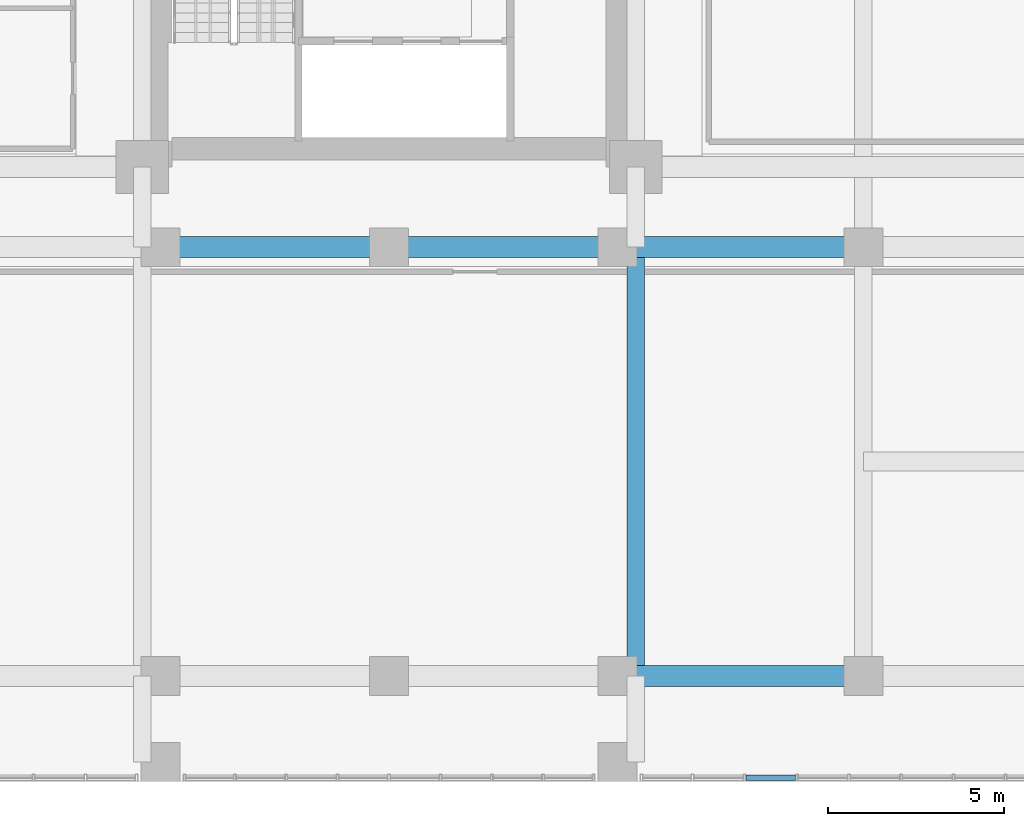
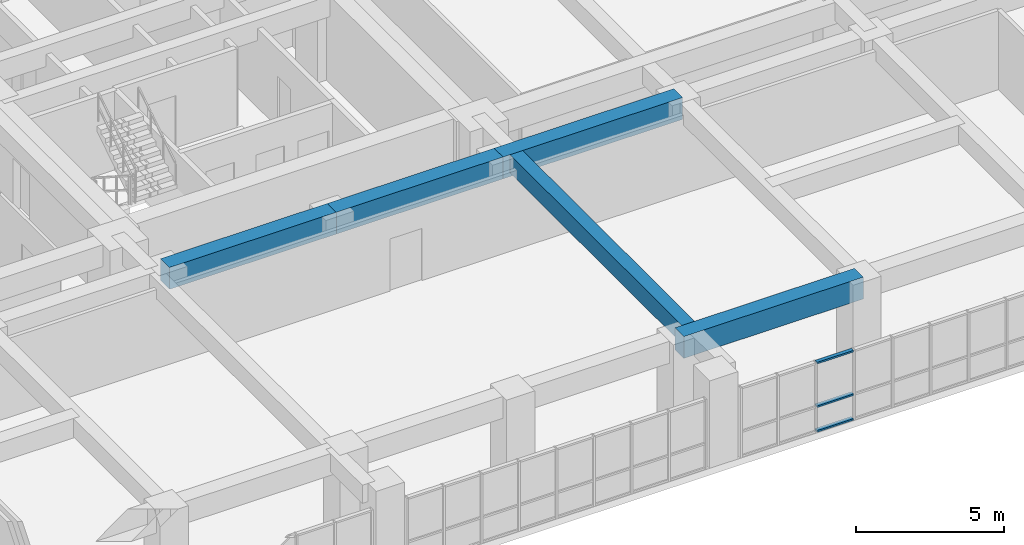
# One storey, part 7 of 30: 5 beams, 3 members, 1 element without a shape of its own.
"""IFC4 building model written with IfcOpenShell, lengths in metres."""

from ifc_helpers import new_model, si_unit, direction, frame, origin, origin_2d, place, context, subcontext, project, spatial, rectangle, hollow_rectangle, extrude, source, transform, mapped, material, layer, layer_set, material_profile, profile_set, type_object, element, aggregate, save


model = new_model("IFC4")

# Units and contexts
model_context = context("Model", 3, precision=1e-05, world=origin(), true_north=direction((0.0, 1.0)))
body_context = subcontext(model_context, "Body", "Model", "MODEL_VIEW")
ifc_project = project(units=[si_unit("LENGTHUNIT", "METRE"), si_unit("AREAUNIT", "SQUARE_METRE"), si_unit("VOLUMEUNIT", "CUBIC_METRE"), si_unit("PLANEANGLEUNIT", "RADIAN"), si_unit("MASSUNIT", "GRAM", prefix="KILO")], contexts=[model_context])

# Site, building, storey
site_placement = place(None, origin())
site = spatial("IfcSite", under=ifc_project, at=site_placement, CompositionType="ELEMENT")
building_placement = place(site_placement, origin())
building = spatial("IfcBuilding", under=site, at=building_placement, Name="Saelheon Loggia Tower", CompositionType="ELEMENT")
storey_placement = place(building_placement, frame((0.0, 0.0, 11.39990234375)))
storey = spatial("IfcBuildingStorey", under=building, at=storey_placement, Name="L03", CompositionType="ELEMENT", Elevation=11.39990234375)

# Beams
ifc_material_1 = material(Name="Concrete C50/60", Category="concrete")
ifc_material_profile_1 = material_profile(ifc_material_1, rectangle(XDim=0.60009765625, YDim=0.89990234375, at=origin_2d()), Name="RC-600x900")
ifc_profile_set_1 = profile_set([ifc_material_profile_1], Name="Concrete C50/60")
beam_type_1 = type_object("IfcBeamType", Name="Beam_MainGirder_RC600x900", PredefinedType="BEAM", material=ifc_profile_set_1)
shared_shape_1 = source(origin(), body_context, "Body", "SweptSolid", [
    extrude(rectangle(XDim=0.60009765625, YDim=0.89990234375, at=origin_2d()), origin(), (0.0, 0.0, 1.0), 7.0),
])
for number, where, z_axis, x_axis, name in (
    (1, (44.5, 3.0, 3.150146484375), (1.0, 0.0, 0.0), (0.0, 1.0, 0.0), "BM-L03-EW-3-6"),
    (2, (44.5, 15.199951171875, 3.150146484375), (1.0, 0.0, 0.0), (0.0, 1.0, 0.0), "BM-L03-EW-15-6"),
):
    element("IfcBeam", number, at=place(storey_placement, frame(where, z_axis=z_axis, x_axis=x_axis)), inside=storey, type_object=beam_type_1, Name=name, PredefinedType="BEAM", context=body_context, shape_type="MappedRepresentation", body=[
        mapped(shared_shape_1, transform((0.0, 0.0, 0.0), scale=1.0)),
    ])
shared_shape_2 = source(origin(), body_context, "Body", "SweptSolid", [
    extrude(rectangle(XDim=0.60009765625, YDim=0.89990234375, at=origin_2d()), origin(), (0.0, 0.0, 1.0), 6.5),
])
for number, where, z_axis, x_axis, name in (
    (3, (31.5, 15.199951171875, 3.150146484375), (1.0, 0.0, 0.0), (0.0, 1.0, 0.0), "BM-L03-EW-15-4"),
    (4, (38.0, 15.199951171875, 3.150146484375), (1.0, 0.0, 0.0), (0.0, 1.0, 0.0), "BM-L03-EW-15-5"),
):
    element("IfcBeam", number, at=place(storey_placement, frame(where, z_axis=z_axis, x_axis=x_axis)), inside=storey, type_object=beam_type_1, Name=name, PredefinedType="BEAM", context=body_context, shape_type="MappedRepresentation", body=[
        mapped(shared_shape_2, transform((0.0, 0.0, 0.0), scale=1.0)),
    ])
ifc_material_2 = material(Name="Concrete C45/55", Category="concrete")
ifc_material_profile_2 = material_profile(ifc_material_2, rectangle(XDim=0.5, YDim=0.75, at=origin_2d()), Name="RC-500x750")
ifc_profile_set_2 = profile_set([ifc_material_profile_2], Name="Concrete C45/55")
beam_type_2 = type_object("IfcBeamType", Name="Beam_FloorGirder_RC500x750", PredefinedType="BEAM", material=ifc_profile_set_2)
shared_shape_3 = source(origin(), body_context, "Body", "SweptSolid", [
    extrude(rectangle(XDim=0.5, YDim=0.75, at=origin_2d()), origin(), (0.0, 0.0, 1.0), 12.199951171875),
])
beam_placement = place(storey_placement, frame((45.02001953125, 3.0, 3.22509765625), z_axis=(0.0, 1.0, 0.0), x_axis=(-1.0, 0.0, 0.0)))
element("IfcBeam", 5, at=beam_placement, inside=storey, type_object=beam_type_2, Name="BM-L03-NS-45-2", PredefinedType="BEAM", context=body_context, shape_type="MappedRepresentation", body=[
    mapped(shared_shape_3, transform((0.0, 0.0, 0.0), scale=1.0)),
])

# Curtain wall, members
ifc_material_3 = material(Name="Aluminium 6063-T6 and Low-E IGU", Category="aluminium")
ifc_layer = layer(ifc_material_3, 0.179931640625)
ifc_layer_set = layer_set([ifc_layer], Name="Aluminium 6063-T6 and Low-E IGU")
curtain_wall_type = type_object("IfcCurtainWallType", Name="CW_PodiumClinic", PredefinedType="NOTDEFINED", material=ifc_layer_set)
curtain_wall_placement = place(storey_placement, origin())
curtain_wall = element("IfcCurtainWall", 6, at=curtain_wall_placement, inside=storey, type_object=curtain_wall_type, Name="L03 South Clinic Curtain Wall 3", PredefinedType="NOTDEFINED")
ifc_material_4 = material(Name="Anodised Aluminium 6063-T6", Category="aluminium")
ifc_material_profile_3 = material_profile(ifc_material_4, hollow_rectangle(XDim=0.070068359375, YDim=0.14990234375, WallThickness=0.0048828125, at=origin_2d()), Name="RHS-150x70x5")
ifc_profile_set_3 = profile_set([ifc_material_profile_3], Name="Anodised Aluminium 6063-T6")
member_type = type_object("IfcMemberType", Name="CW_PodiumClinic_Transom", PredefinedType="USERDEFINED", material=ifc_profile_set_3)
shared_shape_4 = source(origin(), body_context, "Body", "SweptSolid", [
    extrude(hollow_rectangle(XDim=0.070068359375, YDim=0.14990234375, WallThickness=0.0048828125, at=origin_2d()), origin(), (0.0, 0.0, 1.0), 1.4150390625),
])
member_1_placement = place(storey_placement, frame((48.155029296875, 0.10009765625, 0.03515625), z_axis=(1.0, 0.0, 0.0), x_axis=(0.0, 0.0, 1.0)))
member_1 = element("IfcMember", 7, at=member_1_placement, type_object=member_type, Name="CW1 transom 3.1", ObjectType="TRANSOM", PredefinedType="USERDEFINED", context=body_context, shape_type="MappedRepresentation", body=[
    mapped(shared_shape_4, transform((0.0, 0.0, 0.0), scale=1.0)),
])
member_2_placement = place(storey_placement, frame((48.155029296875, 0.10009765625, 1.050048828125), z_axis=(1.0, 0.0, 0.0), x_axis=(0.0, 0.0, 1.0)))
member_2 = element("IfcMember", 8, at=member_2_placement, type_object=member_type, Name="CW1 transom 3.2", ObjectType="TRANSOM", PredefinedType="USERDEFINED", context=body_context, shape_type="MappedRepresentation", body=[
    mapped(shared_shape_4, transform((0.0, 0.0, 0.0), scale=1.0)),
])
member_3_placement = place(storey_placement, frame((48.155029296875, 0.10009765625, 2.84521484375), z_axis=(1.0, 0.0, 0.0), x_axis=(0.0, 0.0, 1.0)))
member_3 = element("IfcMember", 9, at=member_3_placement, type_object=member_type, Name="CW1 transom 3.3", ObjectType="TRANSOM", PredefinedType="USERDEFINED", context=body_context, shape_type="MappedRepresentation", body=[
    mapped(shared_shape_4, transform((0.0, 0.0, 0.0), scale=1.0)),
])
aggregate(curtain_wall, [member_1, member_2, member_3])

save(model, "model.ifc")
